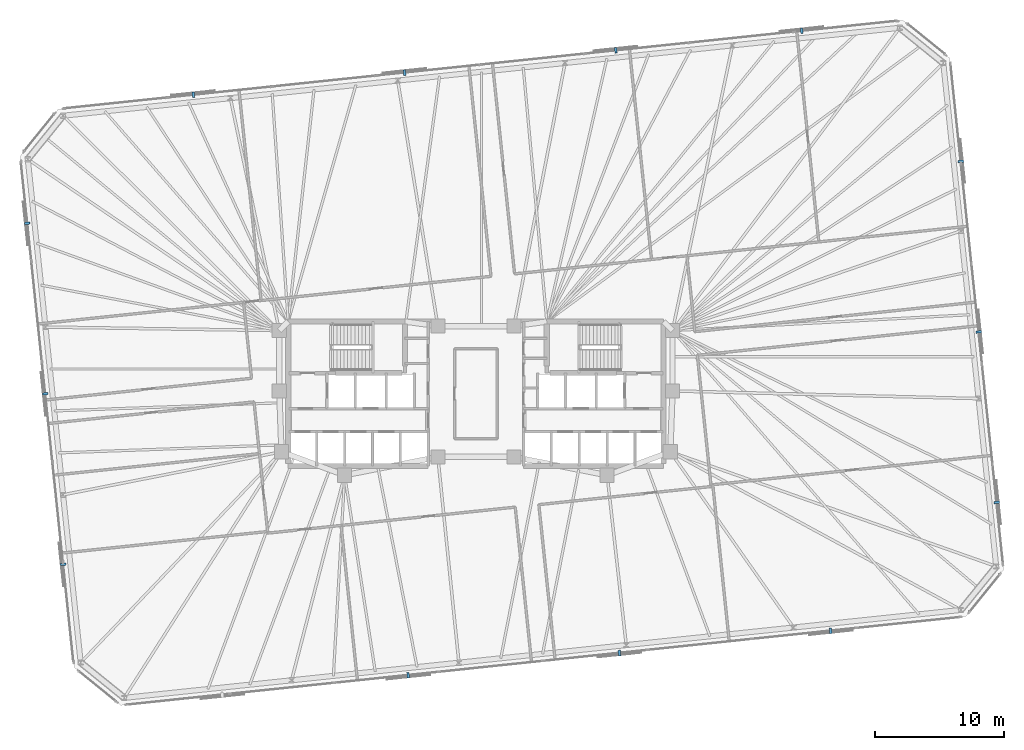
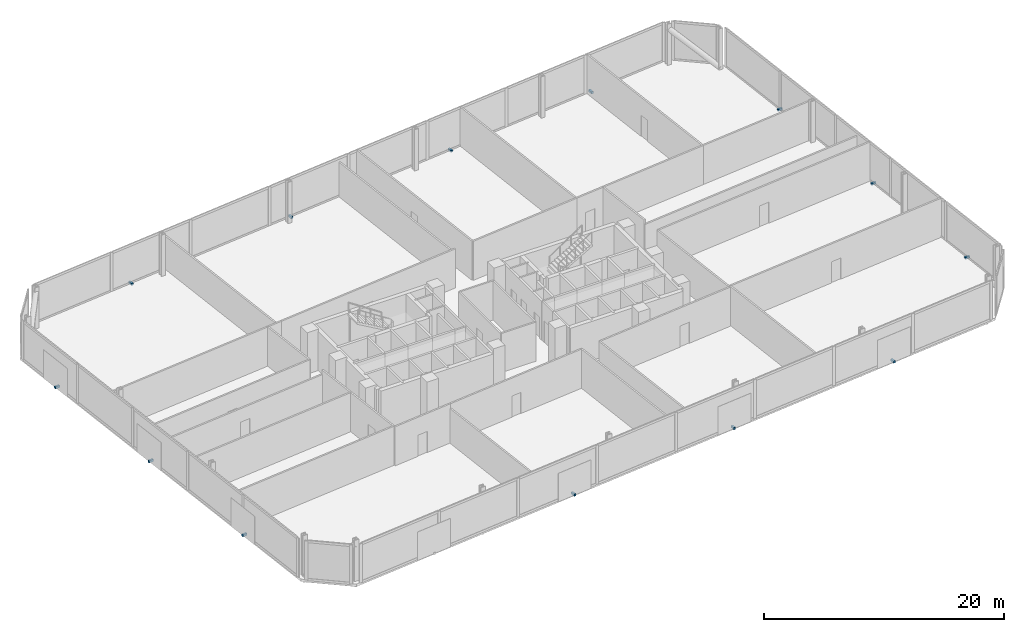
# One storey, part 15 of 16: 13 discrete accessories.
"""IFC4 building model written with IfcOpenShell, lengths in metres."""

from ifc_helpers import new_model, si_unit, direction, frame, origin, origin_2d, place, context, subcontext, project, spatial, rectangle, extrude, material, type_object, element, save


model = new_model("IFC4")

# Units and contexts
model_context = context("Model", 3, precision=1e-05, world=origin(), true_north=direction((0.0, 1.0)))
body_context = subcontext(model_context, "Body", "Model", "MODEL_VIEW")
ifc_project = project(units=[si_unit("LENGTHUNIT", "METRE"), si_unit("AREAUNIT", "SQUARE_METRE"), si_unit("VOLUMEUNIT", "CUBIC_METRE"), si_unit("PLANEANGLEUNIT", "RADIAN"), si_unit("MASSUNIT", "GRAM", prefix="KILO")], contexts=[model_context])

# Site, building, storey
site_placement = place(None, origin())
site = spatial("IfcSite", under=ifc_project, at=site_placement, CompositionType="ELEMENT")
building_placement = place(site_placement, origin())
building = spatial("IfcBuilding", under=site, at=building_placement, Name="Menara Jurai Vektor", CompositionType="ELEMENT")
storey_placement = place(building_placement, frame((0.0, 0.0, 83.199951171875)))
storey = spatial("IfcBuildingStorey", under=building, at=storey_placement, Name="L20", CompositionType="ELEMENT", Elevation=83.199951171875)

# Discrete accessories
ifc_material = material(Name="Steel S355", Category="steel")
discrete_accessory_type = type_object("IfcDiscreteAccessoryType", Name="ENV-ACC-BRACKET", PredefinedType="BRACKET", material=ifc_material)
for number, where, z_axis, x_axis, name in (
    (1, (-5.2548828125, -21.834716796875, -0.1298828125), (0.0, 0.0, 1.0), (0.994521895368, 0.104528463268, 0.0), "Solar Screen Stand-Off Bracket L20-S02"),
    (2, (11.1298828125, -20.112548828125, -0.1298828125), (0.0, 0.0, 1.0), (0.994521895368, 0.104528463268, 0.0), "Solar Screen Stand-Off Bracket L20-S03"),
    (3, (27.5146484375, -18.390380859375, -0.1298828125), (0.0, 0.0, 1.0), (0.994521895368, 0.104528463268, 0.0), "Solar Screen Stand-Off Bracket L20-S04"),
    (4, (40.397705078125, -8.42578125, -0.1298828125), (0.0, 0.0, 1.0), (-0.104528463268, 0.994521895368, 0.0), "Solar Screen Stand-Off Bracket L20-S05"),
    (5, (39.00732421875, 4.80126953125, -0.1298828125), (0.0, 0.0, 1.0), (-0.104528463268, 0.994521895368, 0.0), "Solar Screen Stand-Off Bracket L20-S06"),
    (6, (37.6171875, 18.028564453125, -0.1298828125), (0.0, 0.0, 1.0), (-0.104528463268, 0.994521895368, 0.0), "Solar Screen Stand-Off Bracket L20-S07"),
    (7, (25.2734375, 28.150146484375, -0.1298828125), (0.0, 0.0, 1.0), (-0.994521895368, -0.104528463268, 0.0), "Solar Screen Stand-Off Bracket L20-S08"),
    (8, (10.85498046875, 26.634765625, -0.1298828125), (0.0, 0.0, 1.0), (-0.994521895368, -0.104528463268, 0.0), "Solar Screen Stand-Off Bracket L20-S09"),
    (9, (-5.52978515625, 24.91259765625, -0.1298828125), (0.0, 0.0, 1.0), (-0.994521895368, -0.104528463268, 0.0), "Solar Screen Stand-Off Bracket L20-S10"),
    (10, (-21.91455078125, 23.1904296875, -0.1298828125), (0.0, 0.0, 1.0), (-0.994521895368, -0.104528463268, 0.0), "Solar Screen Stand-Off Bracket L20-S11"),
    (11, (-34.797607421875, 13.225830078125, -0.1298828125), (0.0, 0.0, 1.0), (0.104528463268, -0.994521895368, 0.0), "Solar Screen Stand-Off Bracket L20-S12"),
    (12, (-33.407470703125, -0.001220703125, -0.1298828125), (0.0, 0.0, 1.0), (0.104528463268, -0.994521895368, 0.0), "Solar Screen Stand-Off Bracket L20-S13"),
    (13, (-32.01708984375, -13.228515625, -0.1298828125), (0.0, 0.0, 1.0), (0.104528463268, -0.994521895368, 0.0), "Solar Screen Stand-Off Bracket L20-S14"),
):
    element("IfcDiscreteAccessory", number, at=place(storey_placement, frame(where, z_axis=z_axis, x_axis=x_axis)), inside=storey, type_object=discrete_accessory_type, Name=name, PredefinedType="BRACKET", context=body_context, shape_type="SweptSolid", body=[
        extrude(rectangle(XDim=0.179931640625, YDim=0.43994140625, at=origin_2d()), origin(), (0.0, 0.0, 1.0), 0.219970703125),
    ])

save(model, "model.ifc")
